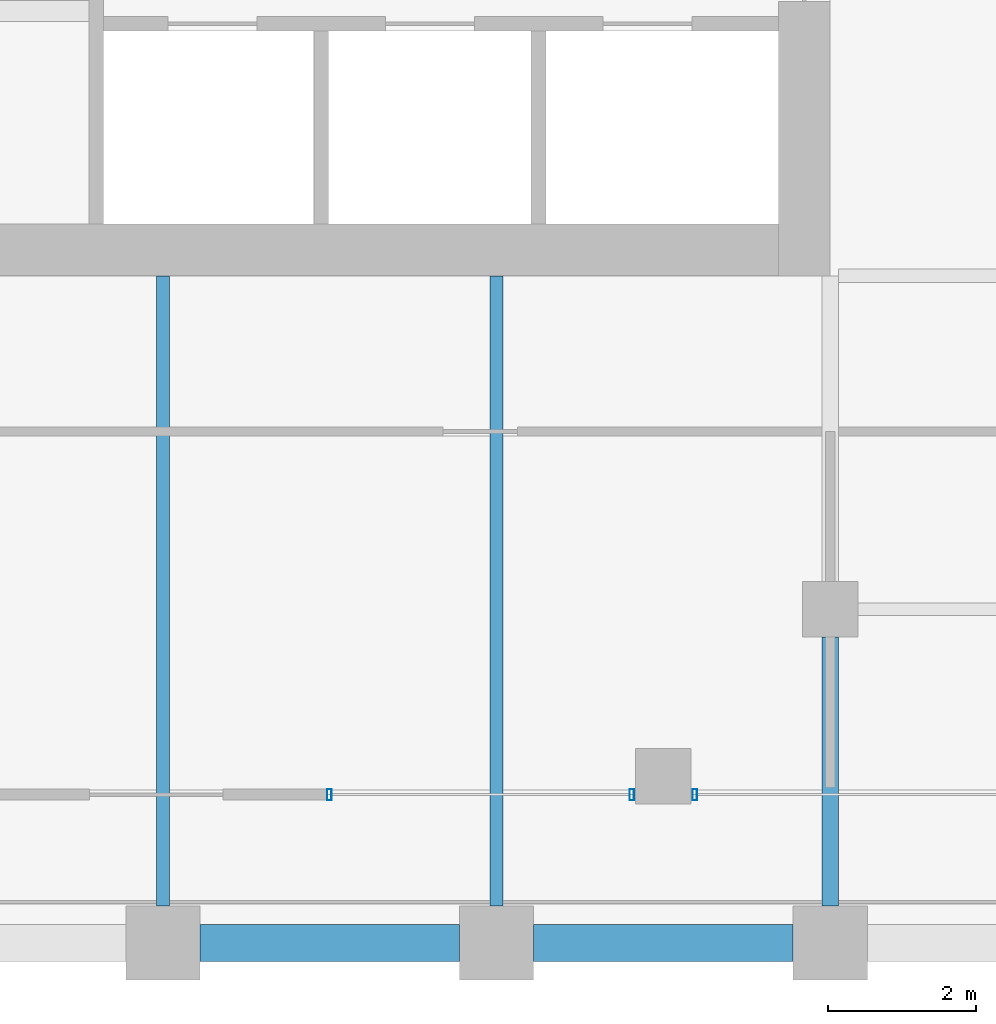
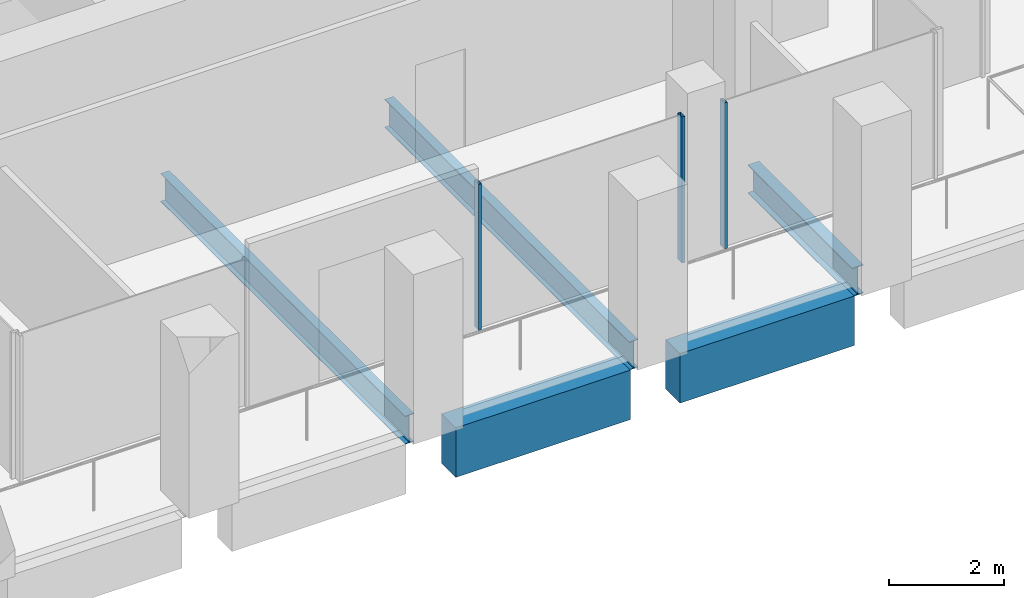
# One storey, part 31 of 46: 5 beams, 3 members, 2 elements without a shape of their own.
"""IFC4 building model written with IfcOpenShell, lengths in metres."""

from ifc_helpers import new_model, si_unit, direction, frame, origin, origin_2d, place, context, subcontext, project, spatial, rectangle, hollow_rectangle, i_section, extrude, material, material_profile, profile_set, type_object, element, aggregate, save


model = new_model("IFC4")

# Units and contexts
model_context = context("Model", 3, precision=1e-05, world=origin(), true_north=direction((0.0, 1.0)))
body_context = subcontext(model_context, "Body", "Model", "MODEL_VIEW")
ifc_project = project(units=[si_unit("LENGTHUNIT", "METRE"), si_unit("AREAUNIT", "SQUARE_METRE"), si_unit("VOLUMEUNIT", "CUBIC_METRE"), si_unit("PLANEANGLEUNIT", "RADIAN"), si_unit("MASSUNIT", "GRAM", prefix="KILO")], contexts=[model_context])

# Site, building, storey
site_placement = place(None, origin())
site = spatial("IfcSite", under=ifc_project, at=site_placement, CompositionType="ELEMENT")
building_placement = place(site_placement, origin())
building = spatial("IfcBuilding", under=site, at=building_placement, Name="Altepetl Exchange Towers", CompositionType="ELEMENT")
storey_placement = place(building_placement, frame((0.0, 0.0, 106.39990234375)))
storey = spatial("IfcBuildingStorey", under=building, at=storey_placement, Name="L26", CompositionType="ELEMENT", Elevation=106.39990234375)

# Beams
ifc_material_1 = material(Name="Steel S355", Category="steel")
ifc_material_profile_1 = material_profile(ifc_material_1, i_section(OverallWidth=0.177978515625, OverallDepth=0.59912109375, WebThickness=0.010009765625, FlangeThickness=0.0126953125, at=origin_2d()), Name="W24X55")
ifc_profile_set_1 = profile_set([ifc_material_profile_1], Name="Steel S355")
beam_type_1 = type_object("IfcBeamType", Name="Floor beam W24X55", PredefinedType="BEAM", material=ifc_profile_set_1)
for number, where, z_axis, x_axis, name in (
    (1, (108.0, 27.5, -0.449462890625), (0.0, 1.0, 0.0), (-1.0, 0.0, 0.0), "bm:B:L26:006"),
    (2, (112.5, 27.5, -0.449462890625), (0.0, 1.0, 0.0), (-1.0, 0.0, 0.0), "bm:B:L26:007"),
):
    element("IfcBeam", number, at=place(storey_placement, frame(where, z_axis=z_axis, x_axis=x_axis)), inside=storey, type_object=beam_type_1, Name=name, PredefinedType="BEAM", context=body_context, shape_type="SweptSolid", body=[
        extrude(i_section(OverallWidth=0.177978515625, OverallDepth=0.59912109375, WebThickness=0.010009765625, FlangeThickness=0.0126953125, at=origin_2d()), origin(), (0.0, 0.0, 1.0), 8.5),
    ])
ifc_material_profile_2 = material_profile(ifc_material_1, i_section(OverallWidth=0.22802734375, OverallDepth=0.60791015625, WebThickness=0.01123046875, FlangeThickness=0.017333984375, at=origin_2d()), Name="W24X76")
ifc_profile_set_2 = profile_set([ifc_material_profile_2], Name="Steel S355")
beam_type_2 = type_object("IfcBeamType", Name="Girder W24X76", PredefinedType="BEAM", material=ifc_profile_set_2)
beam_placement = place(storey_placement, frame((117.0, 31.125, -0.453857421875), z_axis=(0.0, -1.0, 0.0), x_axis=(1.0, 0.0, 0.0)))
element("IfcBeam", 3, at=beam_placement, inside=storey, type_object=beam_type_2, Name="gd:B:L26:001", PredefinedType="BEAM", context=body_context, shape_type="SweptSolid", body=[
    extrude(i_section(OverallWidth=0.22802734375, OverallDepth=0.60791015625, WebThickness=0.01123046875, FlangeThickness=0.017333984375, at=origin_2d()), origin(), (0.0, 0.0, 1.0), 3.625),
])

# Curtain wall, members
ifc_material_2 = material(Name="Aluminium 6063-T6 glazing", Category="aluminium")
curtain_wall_type = type_object("IfcCurtainWallType", Name="Loggia glazing system", PredefinedType="NOTDEFINED", material=ifc_material_2)
curtain_wall_1_placement = place(storey_placement, origin())
curtain_wall_1 = element("IfcCurtainWall", 4, at=curtain_wall_1_placement, inside=storey, type_object=curtain_wall_type, Name="CW1 run", PredefinedType="NOTDEFINED")
ifc_material_3 = material(Name="Aluminium 6063-T6", Category="aluminium")
ifc_material_profile_3 = material_profile(ifc_material_3, hollow_rectangle(XDim=0.06005859375, YDim=0.14990234375, WallThickness=0.0029296875, at=origin_2d()), Name="Mullion 60x150 aluminium")
ifc_profile_set_3 = profile_set([ifc_material_profile_3], Name="Aluminium 6063-T6")
member_type = type_object("IfcMemberType", Name="Mullion 60x150 aluminium", PredefinedType="MULLION", material=ifc_profile_set_3)
member_1_placement = place(storey_placement, frame((110.242431640625, 29.0, 0.0)))
member_1 = element("IfcMember", 5, at=member_1_placement, type_object=member_type, Name="MU1 mullion", PredefinedType="MULLION", context=body_context, shape_type="SweptSolid", body=[
    extrude(hollow_rectangle(XDim=0.06005859375, YDim=0.14990234375, WallThickness=0.0029296875, at=origin_2d()), origin(), (0.0, 0.0, 1.0), 3.10009765625),
])
member_2_placement = place(storey_placement, frame((114.324951171875, 29.0, 0.0)))
member_2 = element("IfcMember", 6, at=member_2_placement, type_object=member_type, Name="MU1 mullion", PredefinedType="MULLION", context=body_context, shape_type="SweptSolid", body=[
    extrude(hollow_rectangle(XDim=0.06005859375, YDim=0.14990234375, WallThickness=0.0029296875, at=origin_2d()), origin(), (0.0, 0.0, 1.0), 3.10009765625),
])
aggregate(curtain_wall_1, [member_1, member_2])

# Curtain wall, member
curtain_wall_2_placement = place(storey_placement, origin())
curtain_wall_2 = element("IfcCurtainWall", 7, at=curtain_wall_2_placement, inside=storey, type_object=curtain_wall_type, Name="CW1 run", PredefinedType="NOTDEFINED")
member_3_placement = place(storey_placement, frame((115.175048828125, 29.0, 0.0)))
member_3 = element("IfcMember", 8, at=member_3_placement, type_object=member_type, Name="MU1 mullion", PredefinedType="MULLION", context=body_context, shape_type="SweptSolid", body=[
    extrude(hollow_rectangle(XDim=0.06005859375, YDim=0.14990234375, WallThickness=0.0029296875, at=origin_2d()), origin(), (0.0, 0.0, 1.0), 3.10009765625),
])
aggregate(curtain_wall_2, [member_3])

# Beams
ifc_material_4 = material(Name="Concrete C50/60 precast with tezontle facing", Category="concrete")
ifc_material_profile_4 = material_profile(ifc_material_4, rectangle(XDim=0.5, YDim=1.050048828125, at=origin_2d()), Name="500 x 1050")
ifc_profile_set_4 = profile_set([ifc_material_profile_4], Name="Concrete C50/60 precast with tezontle facing")
beam_type_3 = type_object("IfcBeamType", Name="Spandrel beam 500x1050 tezontle", PredefinedType="SPANDREL", material=ifc_profile_set_4)
for number, where, z_axis, x_axis, name in (
    (9, (108.5, 27.0, -0.6748046875), (1.0, 0.0, 0.0), (0.0, 1.0, 0.0), "sp:B:L26:002"),
    (10, (113.0, 27.0, -0.6748046875), (1.0, 0.0, 0.0), (0.0, 1.0, 0.0), "sp:B:L26:003"),
):
    element("IfcBeam", number, at=place(storey_placement, frame(where, z_axis=z_axis, x_axis=x_axis)), inside=storey, type_object=beam_type_3, Name=name, PredefinedType="SPANDREL", context=body_context, shape_type="SweptSolid", body=[
        extrude(rectangle(XDim=0.5, YDim=1.050048828125, at=origin_2d()), origin(), (0.0, 0.0, 1.0), 3.5),
    ])

save(model, "model.ifc")
